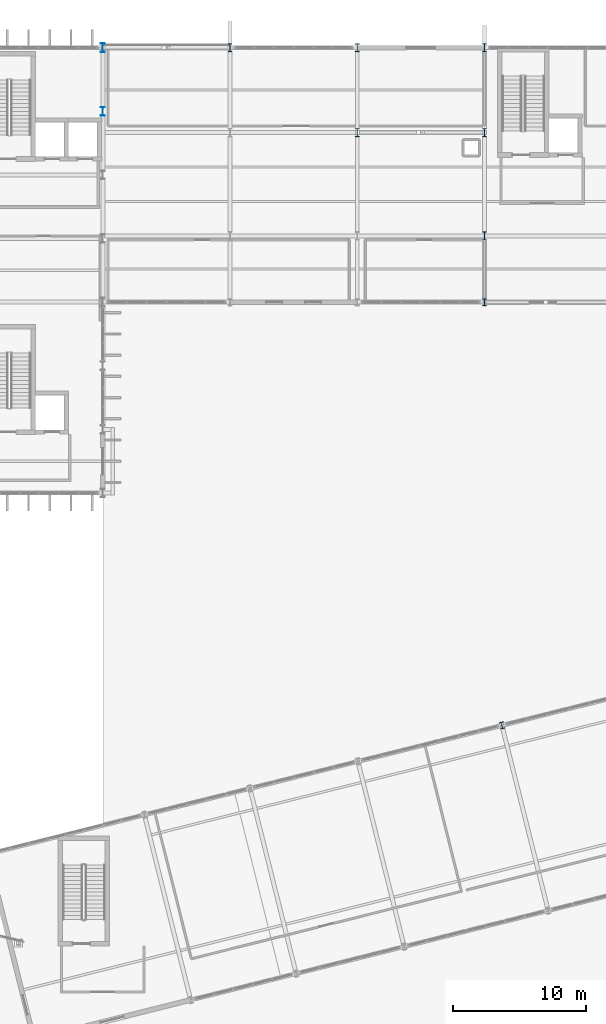
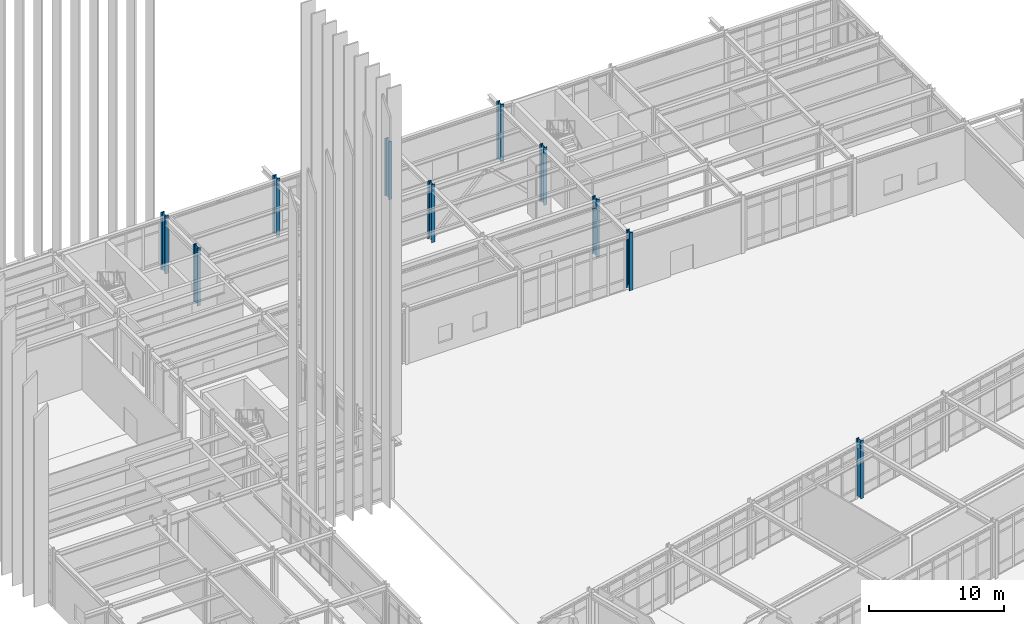
# One storey, part 15 of 109: 10 columns.
"""IFC4 building model written with IfcOpenShell, lengths in metres."""

from ifc_helpers import new_model, si_unit, direction, frame, origin, origin_2d, place, context, subcontext, project, spatial, i_section, extrude, material, material_profile, profile_set, type_object, element, save


model = new_model("IFC4")

# Units and contexts
model_context = context("Model", 3, precision=1e-05, world=origin(), true_north=direction((0.0, 1.0)))
body_context = subcontext(model_context, "Body", "Model", "MODEL_VIEW")
ifc_project = project(units=[si_unit("LENGTHUNIT", "METRE"), si_unit("AREAUNIT", "SQUARE_METRE"), si_unit("VOLUMEUNIT", "CUBIC_METRE"), si_unit("PLANEANGLEUNIT", "RADIAN"), si_unit("MASSUNIT", "GRAM", prefix="KILO")], contexts=[model_context])

# Site, building, storey
site_placement = place(None, origin())
site = spatial("IfcSite", under=ifc_project, at=site_placement, CompositionType="ELEMENT")
building_placement = place(site_placement, origin())
building = spatial("IfcBuilding", under=site, at=building_placement, Name="Nordkorset Police Headquarters", CompositionType="ELEMENT")
storey_placement = place(building_placement, origin())
storey = spatial("IfcBuildingStorey", under=building, at=storey_placement, Name="L00", CompositionType="ELEMENT", Elevation=0.0)

# Columns
ifc_material_1 = material(Name="Steel S355J2", Category="steel")
ifc_material_profile_1 = material_profile(ifc_material_1, i_section(OverallWidth=0.300048828125, OverallDepth=0.5, WebThickness=0.014404296875, FlangeThickness=0.028076171875, FilletRadius=0.027099609375, at=origin_2d()), Name="HEB 500")
ifc_profile_set_1 = profile_set([ifc_material_profile_1], Name="Steel S355J2")
column_type_1 = type_object("IfcColumnType", Name="Col_HEB_500", PredefinedType="COLUMN", material=ifc_profile_set_1)
for number, where, z_axis, x_axis, name in (
    (1, (57.60009765625, 97.60009765625, 0.0), (0.0, 0.0, 1.0), (1.0, 0.0, 0.0), "Structural Column V2_Y0_2 L00"),
    (2, (58.9130859375, 65.67138671875, 0.0), (0.0, 0.0, 1.0), (0.970142500145, 0.242535625038, 0.0), "Structural Column V4_U4_V1 L00"),
):
    element("IfcColumn", number, at=place(storey_placement, frame(where, z_axis=z_axis, x_axis=x_axis)), inside=storey, type_object=column_type_1, Name=name, PredefinedType="COLUMN", context=body_context, shape_type="SweptSolid", body=[
        extrude(i_section(OverallWidth=0.300048828125, OverallDepth=0.5, WebThickness=0.014404296875, FlangeThickness=0.028076171875, FilletRadius=0.027099609375, at=origin_2d()), origin(), (0.0, 0.0, 1.0), 5.25),
    ])
ifc_material_2 = material(Name="Steel S355J2", Category="steel")
ifc_material_profile_2 = material_profile(ifc_material_2, i_section(OverallWidth=0.300048828125, OverallDepth=0.60009765625, WebThickness=0.015380859375, FlangeThickness=0.030029296875, FilletRadius=0.027099609375, at=origin_2d()), Name="HEB 600")
ifc_profile_set_2 = profile_set([ifc_material_profile_2], Name="Steel S355J2")
column_type_2 = type_object("IfcColumnType", Name="Col_HEB_600", PredefinedType="COLUMN", material=ifc_profile_set_2)
for number, where, z_axis, x_axis, name in (
    (3, (38.39990234375, 116.800048828125, 0.0), (0.0, 0.0, 1.0), (1.0, 0.0, 0.0), "Structural Column V2_Y3_0 L00"),
    (4, (48.0, 110.39990234375, 0.0), (0.0, 0.0, 1.0), (1.0, 0.0, 0.0), "Structural Column V2_Y2_1 L00"),
    (5, (48.0, 116.800048828125, 0.0), (0.0, 0.0, 1.0), (1.0, 0.0, 0.0), "Structural Column V2_Y3_1 L00"),
    (6, (57.60009765625, 102.60009765625, 0.0), (0.0, 0.0, 1.0), (1.0, 0.0, 0.0), "Structural Column V2_Y1_2 L00"),
    (7, (57.60009765625, 110.39990234375, 0.0), (0.0, 0.0, 1.0), (1.0, 0.0, 0.0), "Structural Column V2_Y2_2 L00"),
    (8, (57.60009765625, 116.800048828125, 0.0), (0.0, 0.0, 1.0), (1.0, 0.0, 0.0), "Structural Column V2_Y3_2 L00"),
):
    element("IfcColumn", number, at=place(storey_placement, frame(where, z_axis=z_axis, x_axis=x_axis)), inside=storey, type_object=column_type_2, Name=name, PredefinedType="COLUMN", context=body_context, shape_type="SweptSolid", body=[
        extrude(i_section(OverallWidth=0.300048828125, OverallDepth=0.60009765625, WebThickness=0.015380859375, FlangeThickness=0.030029296875, FilletRadius=0.027099609375, at=origin_2d()), origin(), (0.0, 0.0, 1.0), 5.25),
    ])
ifc_material_3 = material(Name="Steel S355J2", Category="steel")
ifc_material_profile_3 = material_profile(ifc_material_3, i_section(OverallWidth=0.300048828125, OverallDepth=0.64990234375, WebThickness=0.01611328125, FlangeThickness=0.031005859375, FilletRadius=0.027099609375, at=origin_2d()), Name="HEB 650")
ifc_profile_set_3 = profile_set([ifc_material_profile_3], Name="Steel S355J2")
column_type_3 = type_object("IfcColumnType", Name="Col_HEB_650", PredefinedType="COLUMN", material=ifc_profile_set_3)
for number, where, z_axis, x_axis, name in (
    (9, (28.800048828125, 112.0, 0.0), (0.0, 0.0, 1.0), (1.0, 0.0, 0.0), "Structural Column V1_E_6 L00"),
    (10, (28.800048828125, 116.800048828125, 0.0), (0.0, 0.0, 1.0), (1.0, 0.0, 0.0), "Structural Column V1_E_7 L00"),
):
    element("IfcColumn", number, at=place(storey_placement, frame(where, z_axis=z_axis, x_axis=x_axis)), inside=storey, type_object=column_type_3, Name=name, PredefinedType="COLUMN", context=body_context, shape_type="SweptSolid", body=[
        extrude(i_section(OverallWidth=0.300048828125, OverallDepth=0.64990234375, WebThickness=0.01611328125, FlangeThickness=0.031005859375, FilletRadius=0.027099609375, at=origin_2d()), origin(), (0.0, 0.0, 1.0), 5.25),
    ])

save(model, "model.ifc")
